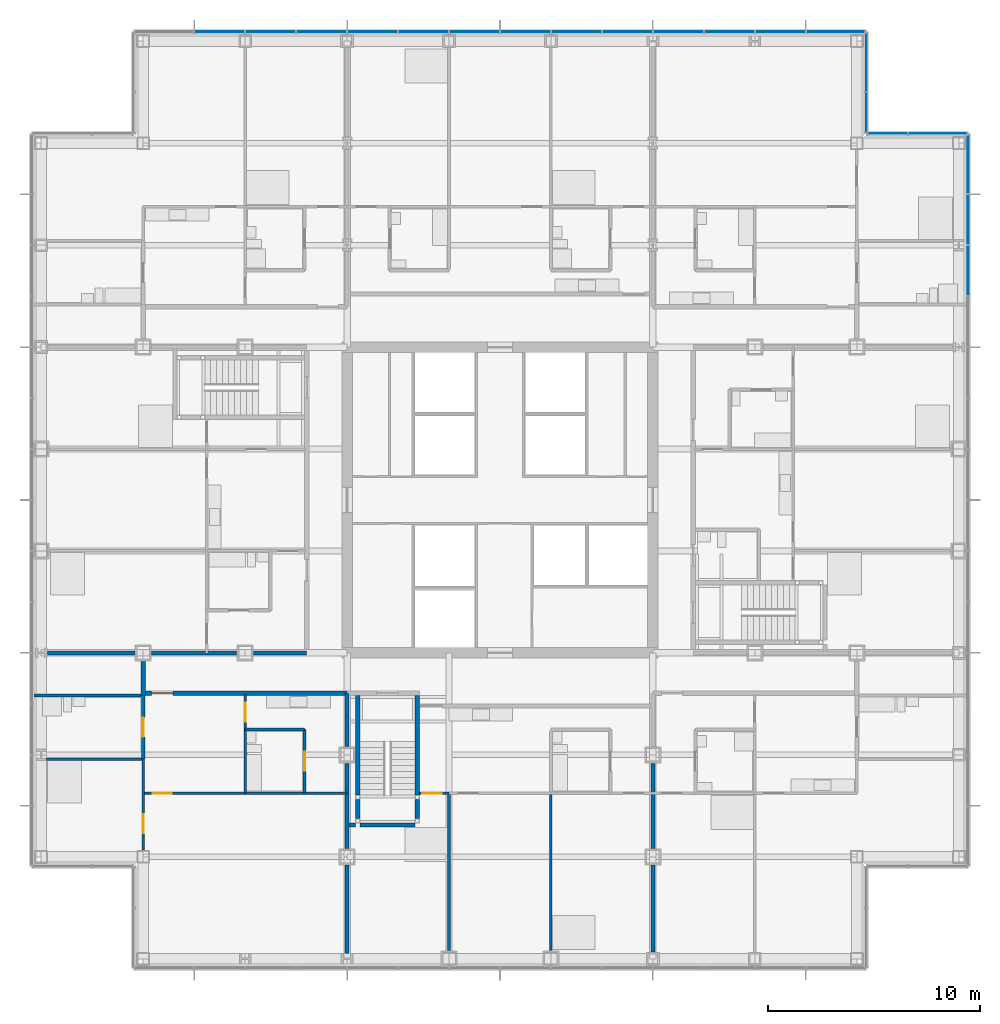
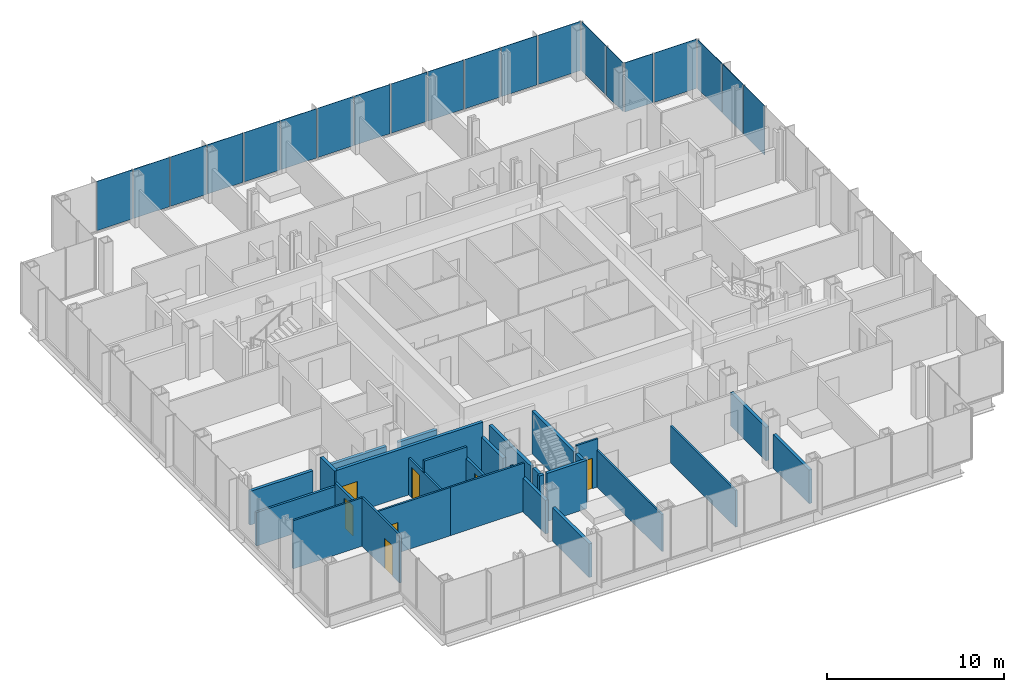
# One storey, part 13 of 21: 28 walls, 20 plates, 7 doors, 7 openings, 4 elements without a shape of their own.
"""IFC4 building model written with IfcOpenShell, lengths in metres."""

from ifc_helpers import new_model, si_unit, direction, frame, frame_2d, origin, origin_2d, place, context, subcontext, project, spatial, rectangle, extrude, material, layer, layer_set, type_object, element, fill, aggregate, save


model = new_model("IFC4")

# Units and contexts
model_context = context("Model", 3, precision=1e-05, world=origin(), true_north=direction((0.0, 1.0)))
body_context = subcontext(model_context, "Body", "Model", "MODEL_VIEW")
ifc_project = project(units=[si_unit("LENGTHUNIT", "METRE"), si_unit("AREAUNIT", "SQUARE_METRE"), si_unit("VOLUMEUNIT", "CUBIC_METRE"), si_unit("PLANEANGLEUNIT", "RADIAN"), si_unit("MASSUNIT", "GRAM", prefix="KILO")], contexts=[model_context])

# Site, building, storey
site_placement = place(None, origin())
site = spatial("IfcSite", under=ifc_project, at=site_placement, CompositionType="ELEMENT")
building_placement = place(site_placement, origin())
building = spatial("IfcBuilding", under=site, at=building_placement, Name="Kvirike Care Tower", CompositionType="ELEMENT")
storey_placement = place(building_placement, frame((0.0, 0.0, 58.5)))
storey = spatial("IfcBuildingStorey", under=building, at=storey_placement, Name="L15", CompositionType="ELEMENT", Elevation=58.5)

# Curtain wall, plates
ifc_material_1 = material(Name="Anodised aluminium stick system", Category="aluminium")
curtain_wall_type = type_object("IfcCurtainWallType", Name="CW-A STICK CURTAIN WALL", PredefinedType="NOTDEFINED", material=ifc_material_1)
curtain_wall_1_placement = place(storey_placement, origin())
curtain_wall_1 = element("IfcCurtainWall", 1, at=curtain_wall_1_placement, inside=storey, type_object=curtain_wall_type, Name="Curtain wall L15 face 7", PredefinedType="NOTDEFINED")
ifc_material_2 = material(Name="Tinted double glazed unit", Category="glass")
ifc_layer_1 = layer(ifc_material_2, 0.031982421875)
ifc_layer_set_1 = layer_set([ifc_layer_1], Name="TINTED VISION PANEL 32")
plate_type = type_object("IfcPlateType", Name="TINTED VISION PANEL 32", PredefinedType="CURTAIN_PANEL", material=ifc_layer_set_1)
plate_1_placement = place(storey_placement, frame((43.64990234375, 46.800048828125, 0.10009765625), z_axis=(0.0, 0.0, 1.0), x_axis=(0.0, 1.0, 0.0)))
plate_1 = element("IfcPlate", 2, at=plate_1_placement, type_object=plate_type, Name="CW-A panel L15 face 7.12", PredefinedType="CURTAIN_PANEL", context=body_context, shape_type="SweptSolid", body=[
    extrude(rectangle(XDim=2.3349609375, YDim=0.031982421875, at=origin_2d()), origin(), (0.0, 0.0, 1.0), 3.39990234375),
])
plate_2_placement = place(storey_placement, frame((43.64990234375, 49.199951171875, 0.10009765625), z_axis=(0.0, 0.0, 1.0), x_axis=(0.0, 1.0, 0.0)))
plate_2 = element("IfcPlate", 3, at=plate_2_placement, type_object=plate_type, Name="CW-A panel L15 face 7.13", PredefinedType="CURTAIN_PANEL", context=body_context, shape_type="SweptSolid", body=[
    extrude(rectangle(XDim=2.3349609375, YDim=0.031982421875, at=origin_2d()), origin(), (0.0, 0.0, 1.0), 3.39990234375),
])
plate_3_placement = place(storey_placement, frame((43.64990234375, 51.808837890625, 0.10009765625), z_axis=(0.0, 0.0, 1.0), x_axis=(0.0, 1.0, 0.0)))
plate_3 = element("IfcPlate", 4, at=plate_3_placement, type_object=plate_type, Name="CW-A panel L15 face 7.14", PredefinedType="CURTAIN_PANEL", context=body_context, shape_type="SweptSolid", body=[
    extrude(rectangle(XDim=2.75244140625, YDim=0.031982421875, at=origin_2d()), origin(), (0.0, 0.0, 1.0), 3.39990234375),
])
aggregate(curtain_wall_1, [plate_1, plate_2, plate_3])

curtain_wall_2_placement = place(storey_placement, origin())
curtain_wall_2 = element("IfcCurtainWall", 5, at=curtain_wall_2_placement, inside=storey, type_object=curtain_wall_type, Name="Curtain wall L15 face 8", PredefinedType="NOTDEFINED")
plate_4_placement = place(storey_placement, frame((42.208740234375, 53.25, 0.10009765625), z_axis=(0.0, 0.0, 1.0), x_axis=(-1.0, 0.0, 0.0)))
plate_4 = element("IfcPlate", 6, at=plate_4_placement, type_object=plate_type, Name="CW-A panel L15 face 8.1", PredefinedType="CURTAIN_PANEL", context=body_context, shape_type="SweptSolid", body=[
    extrude(rectangle(XDim=2.75244140625, YDim=0.031982421875, at=origin_2d()), origin(), (0.0, 0.0, 1.0), 3.39990234375),
])
plate_5_placement = place(storey_placement, frame((39.84130859375, 53.25, 0.10009765625), z_axis=(0.0, 0.0, 1.0), x_axis=(-1.0, 0.0, 0.0)))
plate_5 = element("IfcPlate", 7, at=plate_5_placement, type_object=plate_type, Name="CW-A panel L15 face 8.2", PredefinedType="CURTAIN_PANEL", context=body_context, shape_type="SweptSolid", body=[
    extrude(rectangle(XDim=1.8525390625, YDim=0.031982421875, at=origin_2d()), origin(), (0.0, 0.0, 1.0), 3.39990234375),
])
aggregate(curtain_wall_2, [plate_4, plate_5])

curtain_wall_3_placement = place(storey_placement, origin())
curtain_wall_3 = element("IfcCurtainWall", 8, at=curtain_wall_3_placement, inside=storey, type_object=curtain_wall_type, Name="Curtain wall L15 face 9", PredefinedType="NOTDEFINED")
plate_6_placement = place(storey_placement, frame((38.85009765625, 54.2412109375, 0.10009765625), z_axis=(0.0, 0.0, 1.0), x_axis=(0.0, 1.0, 0.0)))
plate_6 = element("IfcPlate", 9, at=plate_6_placement, type_object=plate_type, Name="CW-A panel L15 face 9.1", PredefinedType="CURTAIN_PANEL", context=body_context, shape_type="SweptSolid", body=[
    extrude(rectangle(XDim=1.8525390625, YDim=0.031982421875, at=origin_2d()), origin(), (0.0, 0.0, 1.0), 3.39990234375),
])
plate_7_placement = place(storey_placement, frame((38.85009765625, 56.608642578125, 0.10009765625), z_axis=(0.0, 0.0, 1.0), x_axis=(0.0, 1.0, 0.0)))
plate_7 = element("IfcPlate", 10, at=plate_7_placement, type_object=plate_type, Name="CW-A panel L15 face 9.2", PredefinedType="CURTAIN_PANEL", context=body_context, shape_type="SweptSolid", body=[
    extrude(rectangle(XDim=2.75244140625, YDim=0.031982421875, at=origin_2d()), origin(), (0.0, 0.0, 1.0), 3.39990234375),
])
aggregate(curtain_wall_3, [plate_6, plate_7])

curtain_wall_4_placement = place(storey_placement, origin())
curtain_wall_4 = element("IfcCurtainWall", 11, at=curtain_wall_4_placement, inside=storey, type_object=curtain_wall_type, Name="Curtain wall L15 face 10", PredefinedType="NOTDEFINED")
plate_8_placement = place(storey_placement, frame((37.40869140625, 58.050048828125, 0.10009765625), z_axis=(0.0, 0.0, 1.0), x_axis=(-1.0, 0.0, 0.0)))
plate_8 = element("IfcPlate", 12, at=plate_8_placement, type_object=plate_type, Name="CW-A panel L15 face 10.1", PredefinedType="CURTAIN_PANEL", context=body_context, shape_type="SweptSolid", body=[
    extrude(rectangle(XDim=2.75244140625, YDim=0.031982421875, at=origin_2d()), origin(), (0.0, 0.0, 1.0), 3.39990234375),
])
plate_9_placement = place(storey_placement, frame((34.800048828125, 58.050048828125, 0.10009765625), z_axis=(0.0, 0.0, 1.0), x_axis=(-1.0, 0.0, 0.0)))
plate_9 = element("IfcPlate", 13, at=plate_9_placement, type_object=plate_type, Name="CW-A panel L15 face 10.2", PredefinedType="CURTAIN_PANEL", context=body_context, shape_type="SweptSolid", body=[
    extrude(rectangle(XDim=2.3349609375, YDim=0.031982421875, at=origin_2d()), origin(), (0.0, 0.0, 1.0), 3.39990234375),
])
plate_10_placement = place(storey_placement, frame((32.39990234375, 58.050048828125, 0.10009765625), z_axis=(0.0, 0.0, 1.0), x_axis=(-1.0, 0.0, 0.0)))
plate_10 = element("IfcPlate", 14, at=plate_10_placement, type_object=plate_type, Name="CW-A panel L15 face 10.3", PredefinedType="CURTAIN_PANEL", context=body_context, shape_type="SweptSolid", body=[
    extrude(rectangle(XDim=2.3349609375, YDim=0.031982421875, at=origin_2d()), origin(), (0.0, 0.0, 1.0), 3.39990234375),
])
plate_11_placement = place(storey_placement, frame((30.0, 58.050048828125, 0.10009765625), z_axis=(0.0, 0.0, 1.0), x_axis=(-1.0, 0.0, 0.0)))
plate_11 = element("IfcPlate", 15, at=plate_11_placement, type_object=plate_type, Name="CW-A panel L15 face 10.4", PredefinedType="CURTAIN_PANEL", context=body_context, shape_type="SweptSolid", body=[
    extrude(rectangle(XDim=2.3349609375, YDim=0.031982421875, at=origin_2d()), origin(), (0.0, 0.0, 1.0), 3.39990234375),
])
plate_12_placement = place(storey_placement, frame((27.60009765625, 58.050048828125, 0.10009765625), z_axis=(0.0, 0.0, 1.0), x_axis=(-1.0, 0.0, 0.0)))
plate_12 = element("IfcPlate", 16, at=plate_12_placement, type_object=plate_type, Name="CW-A panel L15 face 10.5", PredefinedType="CURTAIN_PANEL", context=body_context, shape_type="SweptSolid", body=[
    extrude(rectangle(XDim=2.3349609375, YDim=0.031982421875, at=origin_2d()), origin(), (0.0, 0.0, 1.0), 3.39990234375),
])
plate_13_placement = place(storey_placement, frame((25.199951171875, 58.050048828125, 0.10009765625), z_axis=(0.0, 0.0, 1.0), x_axis=(-1.0, 0.0, 0.0)))
plate_13 = element("IfcPlate", 17, at=plate_13_placement, type_object=plate_type, Name="CW-A panel L15 face 10.6", PredefinedType="CURTAIN_PANEL", context=body_context, shape_type="SweptSolid", body=[
    extrude(rectangle(XDim=2.3349609375, YDim=0.031982421875, at=origin_2d()), origin(), (0.0, 0.0, 1.0), 3.39990234375),
])
plate_14_placement = place(storey_placement, frame((22.800048828125, 58.050048828125, 0.10009765625), z_axis=(0.0, 0.0, 1.0), x_axis=(-1.0, 0.0, 0.0)))
plate_14 = element("IfcPlate", 18, at=plate_14_placement, type_object=plate_type, Name="CW-A panel L15 face 10.7", PredefinedType="CURTAIN_PANEL", context=body_context, shape_type="SweptSolid", body=[
    extrude(rectangle(XDim=2.3349609375, YDim=0.031982421875, at=origin_2d()), origin(), (0.0, 0.0, 1.0), 3.39990234375),
])
plate_15_placement = place(storey_placement, frame((20.39990234375, 58.050048828125, 0.10009765625), z_axis=(0.0, 0.0, 1.0), x_axis=(-1.0, 0.0, 0.0)))
plate_15 = element("IfcPlate", 19, at=plate_15_placement, type_object=plate_type, Name="CW-A panel L15 face 10.8", PredefinedType="CURTAIN_PANEL", context=body_context, shape_type="SweptSolid", body=[
    extrude(rectangle(XDim=2.3349609375, YDim=0.031982421875, at=origin_2d()), origin(), (0.0, 0.0, 1.0), 3.39990234375),
])
plate_16_placement = place(storey_placement, frame((18.0, 58.050048828125, 0.10009765625), z_axis=(0.0, 0.0, 1.0), x_axis=(-1.0, 0.0, 0.0)))
plate_16 = element("IfcPlate", 20, at=plate_16_placement, type_object=plate_type, Name="CW-A panel L15 face 10.9", PredefinedType="CURTAIN_PANEL", context=body_context, shape_type="SweptSolid", body=[
    extrude(rectangle(XDim=2.3349609375, YDim=0.031982421875, at=origin_2d()), origin(), (0.0, 0.0, 1.0), 3.39990234375),
])
plate_17_placement = place(storey_placement, frame((15.60009765625, 58.050048828125, 0.10009765625), z_axis=(0.0, 0.0, 1.0), x_axis=(-1.0, 0.0, 0.0)))
plate_17 = element("IfcPlate", 21, at=plate_17_placement, type_object=plate_type, Name="CW-A panel L15 face 10.10", PredefinedType="CURTAIN_PANEL", context=body_context, shape_type="SweptSolid", body=[
    extrude(rectangle(XDim=2.3349609375, YDim=0.031982421875, at=origin_2d()), origin(), (0.0, 0.0, 1.0), 3.39990234375),
])
plate_18_placement = place(storey_placement, frame((13.199951171875, 58.050048828125, 0.10009765625), z_axis=(0.0, 0.0, 1.0), x_axis=(-1.0, 0.0, 0.0)))
plate_18 = element("IfcPlate", 22, at=plate_18_placement, type_object=plate_type, Name="CW-A panel L15 face 10.11", PredefinedType="CURTAIN_PANEL", context=body_context, shape_type="SweptSolid", body=[
    extrude(rectangle(XDim=2.3349609375, YDim=0.031982421875, at=origin_2d()), origin(), (0.0, 0.0, 1.0), 3.39990234375),
])
plate_19_placement = place(storey_placement, frame((10.800048828125, 58.050048828125, 0.10009765625), z_axis=(0.0, 0.0, 1.0), x_axis=(-1.0, 0.0, 0.0)))
plate_19 = element("IfcPlate", 23, at=plate_19_placement, type_object=plate_type, Name="CW-A panel L15 face 10.12", PredefinedType="CURTAIN_PANEL", context=body_context, shape_type="SweptSolid", body=[
    extrude(rectangle(XDim=2.3349609375, YDim=0.031982421875, at=origin_2d()), origin(), (0.0, 0.0, 1.0), 3.39990234375),
])
plate_20_placement = place(storey_placement, frame((8.39990234375, 58.050048828125, 0.10009765625), z_axis=(0.0, 0.0, 1.0), x_axis=(-1.0, 0.0, 0.0)))
plate_20 = element("IfcPlate", 24, at=plate_20_placement, type_object=plate_type, Name="CW-A panel L15 face 10.13", PredefinedType="CURTAIN_PANEL", context=body_context, shape_type="SweptSolid", body=[
    extrude(rectangle(XDim=2.3349609375, YDim=0.031982421875, at=origin_2d()), origin(), (0.0, 0.0, 1.0), 3.39990234375),
])
aggregate(curtain_wall_4, [plate_8, plate_9, plate_10, plate_11, plate_12, plate_13, plate_14, plate_15, plate_16, plate_17, plate_18, plate_19, plate_20])

# Wall, opening, door
ifc_material_3 = material(Name="Moisture-resistant board partition", Category="gypsum")
ifc_layer_2 = layer(ifc_material_3, 0.14990234375)
ifc_layer_set_2 = layer_set([ifc_layer_2], Name="BATHROOM WALL 150")
wall_type_1 = type_object("IfcWallType", Name="BATHROOM WALL 150", PredefinedType="PARTITIONING", material=ifc_layer_set_2)
wall_1_placement = place(storey_placement, frame((4.800048828125, 23.800048828125, 0.0), z_axis=(0.0, 0.0, 1.0), x_axis=(0.0, 1.0, 0.0)))
wall_1 = element("IfcWall", 25, at=wall_1_placement, inside=storey, type_object=wall_type_1, Name="Bathroom Wall 150 L15", PredefinedType="PARTITIONING", context=body_context, shape_type="SweptSolid", body=[
    extrude(rectangle(XDim=3.0, YDim=0.14990234375, at=frame_2d((1.5, 0.0))), origin(), (0.0, 0.0, 1.0), 2.550048828125),
])
opening_1_placement = place(wall_1_placement, frame((1.050048828125, 0.0, 0.0)))
opening_1 = element("IfcOpeningElement", 26, at=opening_1_placement, cuts=wall_1, Name="Opening 15-001", PredefinedType="OPENING", context=body_context, shape_type="SweptSolid", body=[
    extrude(rectangle(XDim=0.89990234375, YDim=2.10009765625, at=frame_2d((0.449951171875, 1.050048828125))), frame((0.0, 0.08544921875, 0.0), z_axis=(0.0, -1.0, 0.0), x_axis=(1.0, 0.0, 0.0)), (0.0, 0.0, 1.0), 0.1708984375),
])
ifc_material_4 = material(Name="Timber door set", Category="wood")
door_type_1 = type_object("IfcDoorType", Name="BATHROOM DOOR 900", OperationType="SINGLE_SWING_RIGHT", PredefinedType="DOOR", material=ifc_material_4)
door_1_placement = place(opening_1_placement, origin())
door_1 = element("IfcDoor", 27, at=door_1_placement, inside=storey, type_object=door_type_1, Name="Shower room door", OperationType="SINGLE_SWING_LEFT", OverallHeight=2.10009765625, OverallWidth=0.89990234375, PredefinedType="DOOR", context=body_context, shape_type="SweptSolid", body=[
    extrude(rectangle(XDim=0.89990234375, YDim=2.10009765625, at=frame_2d((0.449951171875, 1.050048828125))), frame((0.0, 0.02197265625, 0.0), z_axis=(0.0, -1.0, 0.0), x_axis=(1.0, 0.0, 0.0)), (0.0, 0.0, 1.0), 0.0439453125),
])
fill(opening_1, door_1)

wall_2_placement = place(storey_placement, frame((12.39990234375, 22.199951171875, 0.0), z_axis=(0.0, 0.0, 1.0), x_axis=(0.0, 1.0, 0.0)))
wall_2 = element("IfcWall", 28, at=wall_2_placement, inside=storey, type_object=wall_type_1, Name="Bathroom Wall 150 L15", PredefinedType="PARTITIONING", context=body_context, shape_type="SweptSolid", body=[
    extrude(rectangle(XDim=3.0, YDim=0.14990234375, at=frame_2d((1.5, 0.0))), origin(), (0.0, 0.0, 1.0), 2.550048828125),
])
opening_2_placement = place(wall_2_placement, frame((1.050048828125, 0.0, 0.0)))
opening_2 = element("IfcOpeningElement", 29, at=opening_2_placement, cuts=wall_2, Name="Opening 15-002", PredefinedType="OPENING", context=body_context, shape_type="SweptSolid", body=[
    extrude(rectangle(XDim=0.89990234375, YDim=2.10009765625, at=frame_2d((0.449951171875, 1.050048828125))), frame((0.0, 0.08544921875, 0.0), z_axis=(0.0, -1.0, 0.0), x_axis=(1.0, 0.0, 0.0)), (0.0, 0.0, 1.0), 0.1708984375),
])
door_2_placement = place(opening_2_placement, origin())
door_2 = element("IfcDoor", 30, at=door_2_placement, inside=storey, type_object=door_type_1, Name="Bathroom door", OperationType="SINGLE_SWING_RIGHT", OverallHeight=2.10009765625, OverallWidth=0.89990234375, PredefinedType="DOOR", context=body_context, shape_type="SweptSolid", body=[
    extrude(rectangle(XDim=0.89990234375, YDim=2.10009765625, at=frame_2d((0.449951171875, 1.050048828125))), frame((0.0, 0.02197265625, 0.0), z_axis=(0.0, -1.0, 0.0), x_axis=(1.0, 0.0, 0.0)), (0.0, 0.0, 1.0), 0.0439453125),
])
fill(opening_2, door_2)

# Walls
wall_3_placement = place(storey_placement, frame((9.60009765625, 25.199951171875, 0.0), z_axis=(0.0, 0.0, 1.0), x_axis=(1.0, 0.0, 0.0)))
element("IfcWall", 31, at=wall_3_placement, inside=storey, type_object=wall_type_1, Name="Bathroom Wall 150 L15", PredefinedType="PARTITIONING", context=body_context, shape_type="SweptSolid", body=[
    extrude(rectangle(XDim=2.7998046875, YDim=0.14990234375, at=frame_2d((1.39990234375, 0.0))), origin(), (0.0, 0.0, 1.0), 3.330078125),
])
wall_4_placement = place(storey_placement, frame((-0.429931640625, 26.800048828125, 0.0), z_axis=(0.0, 0.0, 1.0), x_axis=(1.0, 0.0, 0.0)))
element("IfcWall", 32, at=wall_4_placement, inside=storey, type_object=wall_type_1, Name="Bathroom Wall 150 L15", PredefinedType="PARTITIONING", context=body_context, shape_type="SweptSolid", body=[
    extrude(rectangle(XDim=5.1298828125, YDim=0.14990234375, at=frame_2d((2.56494140625, 0.0))), origin(), (0.0, 0.0, 1.0), 2.320068359375),
])

# Wall, opening, door
ifc_material_5 = material(Name="Plasterboard corridor wall", Category="gypsum")
ifc_layer_3 = layer(ifc_material_5, 0.199951171875)
ifc_layer_set_3 = layer_set([ifc_layer_3], Name="CORRIDOR WALL 200")
wall_type_2 = type_object("IfcWallType", Name="CORRIDOR WALL 200", PredefinedType="PARTITIONING", material=ifc_layer_set_3)
wall_5_placement = place(storey_placement, frame((4.800048828125, 26.89990234375, 0.0), z_axis=(0.0, 0.0, 1.0), x_axis=(1.0, 0.0, 0.0)))
wall_5 = element("IfcWall", 33, at=wall_5_placement, inside=storey, type_object=wall_type_2, Name="Corridor Wall 200 L15", PredefinedType="PARTITIONING", context=body_context, shape_type="SweptSolid", body=[
    extrude(rectangle(XDim=9.599853515625, YDim=0.199951171875, at=frame_2d((4.7998046875, 0.0))), origin(), (0.0, 0.0, 1.0), 3.330078125),
])
opening_3_placement = place(wall_5_placement, frame((0.39990234375, 0.0, 0.0)))
opening_3 = element("IfcOpeningElement", 34, at=opening_3_placement, cuts=wall_5, Name="Opening 15-006", PredefinedType="OPENING", context=body_context, shape_type="SweptSolid", body=[
    extrude(rectangle(XDim=1.0, YDim=2.10009765625, at=frame_2d((0.5, 1.050048828125))), frame((0.0, 0.110595703125, 0.0), z_axis=(0.0, -1.0, 0.0), x_axis=(1.0, 0.0, 0.0)), (0.0, 0.0, 1.0), 0.220947265625),
])
ifc_material_6 = material(Name="Timber door set", Category="wood")
door_type_2 = type_object("IfcDoorType", Name="FLAT ENTRANCE DOOR 1000", OperationType="SINGLE_SWING_LEFT", PredefinedType="DOOR", material=ifc_material_6)
door_3_placement = place(opening_3_placement, frame((1.0, 0.0, 0.0), z_axis=(0.0, 0.0, 1.0), x_axis=(-1.0, 0.0, 0.0)))
door_3 = element("IfcDoor", 35, at=door_3_placement, inside=storey, type_object=door_type_2, Name="One-bedroom apartment entrance", OperationType="SINGLE_SWING_LEFT", OverallHeight=2.10009765625, OverallWidth=1.0, PredefinedType="DOOR", context=body_context, shape_type="SweptSolid", body=[
    extrude(rectangle(XDim=1.0, YDim=2.10009765625, at=frame_2d((0.5, 1.050048828125))), frame((0.0, 0.02685546875, 0.0), z_axis=(0.0, -1.0, 0.0), x_axis=(1.0, 0.0, 0.0)), (0.0, 0.0, 1.0), 0.053955078125),
])
fill(opening_3, door_3)

# Wall
wall_6_placement = place(storey_placement, frame((4.800048828125, 26.800048828125, 0.0), z_axis=(0.0, 0.0, 1.0), x_axis=(0.0, 1.0, 0.0)))
element("IfcWall", 36, at=wall_6_placement, inside=storey, type_object=wall_type_2, Name="Corridor Wall 200 L15", PredefinedType="PARTITIONING", context=body_context, shape_type="SweptSolid", body=[
    extrude(rectangle(XDim=1.60498046875, YDim=0.199951171875, at=frame_2d((0.802490234375, 0.0))), origin(), (0.0, 0.0, 1.0), 3.330078125),
])

# Wall, opening, door
ifc_material_7 = material(Name="Plasterboard partition", Category="gypsum")
ifc_layer_4 = layer(ifc_material_7, 0.1201171875)
ifc_layer_set_4 = layer_set([ifc_layer_4], Name="PARTITION 120")
wall_type_3 = type_object("IfcWallType", Name="PARTITION 120", PredefinedType="PARTITIONING", material=ifc_layer_set_4)
wall_7_placement = place(storey_placement, frame((9.60009765625, 22.199951171875, 0.0), z_axis=(0.0, 0.0, 1.0), x_axis=(0.0, 1.0, 0.0)))
wall_7 = element("IfcWall", 37, at=wall_7_placement, inside=storey, type_object=wall_type_3, Name="Partition 120 L15", PredefinedType="PARTITIONING", context=body_context, shape_type="SweptSolid", body=[
    extrude(rectangle(XDim=4.650146484375, YDim=0.1201171875, at=frame_2d((2.3251953125, 0.0))), origin(), (0.0, 0.0, 1.0), 2.550048828125),
])
opening_4_placement = place(wall_7_placement, frame((3.35009765625, 0.0, 0.0)))
opening_4 = element("IfcOpeningElement", 38, at=opening_4_placement, cuts=wall_7, Name="Opening 15-003", PredefinedType="OPENING", context=body_context, shape_type="SweptSolid", body=[
    extrude(rectangle(XDim=0.89990234375, YDim=2.10009765625, at=frame_2d((0.449951171875, 1.050048828125))), frame((0.0, 0.070556640625, 0.0), z_axis=(0.0, -1.0, 0.0), x_axis=(1.0, 0.0, 0.0)), (0.0, 0.0, 1.0), 0.14111328125),
])
ifc_material_8 = material(Name="Timber door set", Category="wood")
door_type_3 = type_object("IfcDoorType", Name="INTERNAL DOOR 900", OperationType="SINGLE_SWING_LEFT", PredefinedType="DOOR", material=ifc_material_8)
door_4_placement = place(opening_4_placement, frame((0.89990234375, 0.0, 0.0), z_axis=(0.0, 0.0, 1.0), x_axis=(-1.0, 0.0, 0.0)))
door_4 = element("IfcDoor", 39, at=door_4_placement, inside=storey, type_object=door_type_3, Name="Hall door", OperationType="SINGLE_SWING_RIGHT", OverallHeight=2.10009765625, OverallWidth=0.89990234375, PredefinedType="DOOR", context=body_context, shape_type="SweptSolid", body=[
    extrude(rectangle(XDim=0.89990234375, YDim=2.10009765625, at=frame_2d((0.449951171875, 1.050048828125))), frame((0.0, 0.02197265625, 0.0), z_axis=(0.0, -1.0, 0.0), x_axis=(1.0, 0.0, 0.0)), (0.0, 0.0, 1.0), 0.0439453125),
])
fill(opening_4, door_4)

# Wall
wall_8_placement = place(storey_placement, frame((0.243896484375, 23.800048828125, 0.0), z_axis=(0.0, 0.0, 1.0), x_axis=(1.0, 0.0, 0.0)))
element("IfcWall", 40, at=wall_8_placement, inside=storey, type_object=wall_type_3, Name="Partition 120 L15", PredefinedType="PARTITIONING", context=body_context, shape_type="SweptSolid", body=[
    extrude(rectangle(XDim=4.55615234375, YDim=0.1201171875, at=frame_2d((2.278076171875, 0.0))), origin(), (0.0, 0.0, 1.0), 3.330078125),
])

# Wall, opening, door
wall_9_placement = place(storey_placement, frame((4.800048828125, 22.199951171875, 0.0), z_axis=(0.0, 0.0, 1.0), x_axis=(1.0, 0.0, 0.0)))
wall_9 = element("IfcWall", 41, at=wall_9_placement, inside=storey, type_object=wall_type_3, Name="Partition 120 L15", PredefinedType="PARTITIONING", context=body_context, shape_type="SweptSolid", body=[
    extrude(rectangle(XDim=4.800048828125, YDim=0.1201171875, at=frame_2d((2.39990234375, 0.0))), origin(), (0.0, 0.0, 1.0), 3.330078125),
])
opening_5_placement = place(wall_9_placement, frame((0.449951171875, 0.0, 0.0)))
opening_5 = element("IfcOpeningElement", 42, at=opening_5_placement, cuts=wall_9, Name="Opening 15-004", PredefinedType="OPENING", context=body_context, shape_type="SweptSolid", body=[
    extrude(rectangle(XDim=0.89990234375, YDim=2.10009765625, at=frame_2d((0.449951171875, 1.050048828125))), frame((0.0, 0.070556640625, 0.0), z_axis=(0.0, -1.0, 0.0), x_axis=(1.0, 0.0, 0.0)), (0.0, 0.0, 1.0), 0.14111328125),
])
door_5_placement = place(opening_5_placement, origin())
door_5 = element("IfcDoor", 43, at=door_5_placement, inside=storey, type_object=door_type_3, Name="Apartment living and dining room door", OperationType="SINGLE_SWING_LEFT", OverallHeight=2.10009765625, OverallWidth=0.89990234375, PredefinedType="DOOR", context=body_context, shape_type="SweptSolid", body=[
    extrude(rectangle(XDim=0.89990234375, YDim=2.10009765625, at=frame_2d((0.449951171875, 1.050048828125))), frame((0.0, 0.02197265625, 0.0), z_axis=(0.0, -1.0, 0.0), x_axis=(1.0, 0.0, 0.0)), (0.0, 0.0, 1.0), 0.0439453125),
])
fill(opening_5, door_5)

# Wall
wall_10_placement = place(storey_placement, frame((9.60009765625, 22.199951171875, 0.0), z_axis=(0.0, 0.0, 1.0), x_axis=(1.0, 0.0, 0.0)))
element("IfcWall", 44, at=wall_10_placement, inside=storey, type_object=wall_type_3, Name="Partition 120 L15", PredefinedType="PARTITIONING", context=body_context, shape_type="SweptSolid", body=[
    extrude(rectangle(XDim=4.7998046875, YDim=0.1201171875, at=frame_2d((2.39990234375, 0.0))), origin(), (0.0, 0.0, 1.0), 3.330078125),
])

# Wall, opening, door
wall_11_placement = place(storey_placement, frame((4.800048828125, 19.52001953125, 0.0), z_axis=(0.0, 0.0, 1.0), x_axis=(0.0, 1.0, 0.0)))
wall_11 = element("IfcWall", 45, at=wall_11_placement, inside=storey, type_object=wall_type_3, Name="Partition 120 L15", PredefinedType="PARTITIONING", context=body_context, shape_type="SweptSolid", body=[
    extrude(rectangle(XDim=4.280029296875, YDim=0.1201171875, at=frame_2d((2.14013671875, 0.0))), origin(), (0.0, 0.0, 1.0), 3.330078125),
])
opening_6_placement = place(wall_11_placement, frame((0.780029296875, 0.0, 0.0)))
opening_6 = element("IfcOpeningElement", 46, at=opening_6_placement, cuts=wall_11, Name="Opening 15-005", PredefinedType="OPENING", context=body_context, shape_type="SweptSolid", body=[
    extrude(rectangle(XDim=0.89990234375, YDim=2.10009765625, at=frame_2d((0.449951171875, 1.050048828125))), frame((0.0, 0.070556640625, 0.0), z_axis=(0.0, -1.0, 0.0), x_axis=(1.0, 0.0, 0.0)), (0.0, 0.0, 1.0), 0.14111328125),
])
door_6_placement = place(opening_6_placement, origin())
door_6 = element("IfcDoor", 47, at=door_6_placement, inside=storey, type_object=door_type_3, Name="Connecting door", OperationType="SINGLE_SWING_RIGHT", OverallHeight=2.10009765625, OverallWidth=0.89990234375, PredefinedType="DOOR", context=body_context, shape_type="SweptSolid", body=[
    extrude(rectangle(XDim=0.89990234375, YDim=2.10009765625, at=frame_2d((0.449951171875, 1.050048828125))), frame((0.0, 0.02197265625, 0.0), z_axis=(0.0, -1.0, 0.0), x_axis=(1.0, 0.0, 0.0)), (0.0, 0.0, 1.0), 0.0439453125),
])
fill(opening_6, door_6)

wall_12_placement = place(storey_placement, frame((17.800048828125, 22.199951171875, 0.0), z_axis=(0.0, 0.0, 1.0), x_axis=(1.0, 0.0, 0.0)))
wall_12 = element("IfcWall", 48, at=wall_12_placement, inside=storey, type_object=wall_type_3, Name="Partition 120 L15", PredefinedType="PARTITIONING", context=body_context, shape_type="SweptSolid", body=[
    extrude(rectangle(XDim=1.39990234375, YDim=0.1201171875, at=frame_2d((0.699951171875, 0.0))), origin(), (0.0, 0.0, 1.0), 3.330078125),
])
opening_7_placement = place(wall_12_placement, frame((0.14990234375, 0.0, 0.0)))
opening_7 = element("IfcOpeningElement", 49, at=opening_7_placement, cuts=wall_12, Name="Opening 15-023", PredefinedType="OPENING", context=body_context, shape_type="SweptSolid", body=[
    extrude(rectangle(XDim=0.89990234375, YDim=2.10009765625, at=frame_2d((0.449951171875, 1.050048828125))), frame((0.0, 0.070556640625, 0.0), z_axis=(0.0, -1.0, 0.0), x_axis=(1.0, 0.0, 0.0)), (0.0, 0.0, 1.0), 0.14111328125),
])
door_7_placement = place(opening_7_placement, frame((0.89990234375, 0.0, 0.0), z_axis=(0.0, 0.0, 1.0), x_axis=(-1.0, 0.0, 0.0)))
door_7 = element("IfcDoor", 50, at=door_7_placement, inside=storey, type_object=door_type_3, Name="Apartment bedroom door", OperationType="SINGLE_SWING_LEFT", OverallHeight=2.10009765625, OverallWidth=0.89990234375, PredefinedType="DOOR", context=body_context, shape_type="SweptSolid", body=[
    extrude(rectangle(XDim=0.89990234375, YDim=2.10009765625, at=frame_2d((0.449951171875, 1.050048828125))), frame((0.0, 0.02197265625, 0.0), z_axis=(0.0, -1.0, 0.0), x_axis=(1.0, 0.0, 0.0)), (0.0, 0.0, 1.0), 0.0439453125),
])
fill(opening_7, door_7)

# Walls
for number, where, z_axis, x_axis, name in (
    (51, (19.199951171875, 14.794921875, 0.0), (0.0, 0.0, 1.0), (0.0, 1.0, 0.0), "Partition 120 L15"),
    (52, (24.0, 14.794921875, 0.0), (0.0, 0.0, 1.0), (0.0, 1.0, 0.0), "Partition 120 L15"),
):
    element("IfcWall", number, at=place(storey_placement, frame(where, z_axis=z_axis, x_axis=x_axis)), inside=storey, type_object=wall_type_3, Name=name, PredefinedType="PARTITIONING", context=body_context, shape_type="SweptSolid", body=[
        extrude(rectangle(XDim=7.405029296875, YDim=0.1201171875, at=frame_2d((3.70263671875, 0.0))), origin(), (0.0, 0.0, 1.0), 2.550048828125),
    ])
ifc_material_9 = material(Name="Plasterboard party wall", Category="gypsum")
ifc_layer_5 = layer(ifc_material_9, 0.199951171875)
ifc_layer_set_5 = layer_set([ifc_layer_5], Name="PARTY WALL 200")
wall_type_4 = type_object("IfcWallType", Name="PARTY WALL 200", PredefinedType="PARTITIONING", material=ifc_layer_set_5)
wall_13_placement = place(storey_placement, frame((12.5, 28.800048828125, 0.0), z_axis=(0.0, 0.0, 1.0), x_axis=(-1.0, 0.0, 0.0)))
element("IfcWall", 53, at=wall_13_placement, inside=storey, type_object=wall_type_4, Name="Party Wall 200 L15", PredefinedType="PARTITIONING", context=body_context, shape_type="SweptSolid", body=[
    extrude(rectangle(XDim=2.5048828125, YDim=0.199951171875, at=frame_2d((1.25244140625, 0.0))), origin(), (0.0, 0.0, 1.0), 2.320068359375),
])
wall_14_placement = place(storey_placement, frame((9.205078125, 28.800048828125, 0.0), z_axis=(0.0, 0.0, 1.0), x_axis=(-1.0, 0.0, 0.0)))
element("IfcWall", 54, at=wall_14_placement, inside=storey, type_object=wall_type_4, Name="Party Wall 200 L15", PredefinedType="PARTITIONING", context=body_context, shape_type="SweptSolid", body=[
    extrude(rectangle(XDim=4.010009765625, YDim=0.199951171875, at=frame_2d((2.0048828125, 0.0))), origin(), (0.0, 0.0, 1.0), 2.320068359375),
])
wall_15_placement = place(storey_placement, frame((4.405029296875, 28.800048828125, 0.0), z_axis=(0.0, 0.0, 1.0), x_axis=(-1.0, 0.0, 0.0)))
element("IfcWall", 55, at=wall_15_placement, inside=storey, type_object=wall_type_4, Name="Party Wall 200 L15", PredefinedType="PARTITIONING", context=body_context, shape_type="SweptSolid", body=[
    extrude(rectangle(XDim=4.110107421875, YDim=0.199951171875, at=frame_2d((2.05517578125, 0.0))), origin(), (0.0, 0.0, 1.0), 2.320068359375),
])
wall_16_placement = place(storey_placement, frame((14.39990234375, 14.64404296875, 0.0), z_axis=(0.0, 0.0, 1.0), x_axis=(0.0, 1.0, 0.0)))
element("IfcWall", 56, at=wall_16_placement, inside=storey, type_object=wall_type_4, Name="Party Wall 200 L15", PredefinedType="PARTITIONING", context=body_context, shape_type="SweptSolid", body=[
    extrude(rectangle(XDim=4.160888671875, YDim=0.199951171875, at=frame_2d((2.08056640625, 0.0))), origin(), (0.0, 0.0, 1.0), 2.320068359375),
])
wall_17_placement = place(storey_placement, frame((14.39990234375, 19.594970703125, 0.0), z_axis=(0.0, 0.0, 1.0), x_axis=(0.0, 1.0, 0.0)))
element("IfcWall", 57, at=wall_17_placement, inside=storey, type_object=wall_type_4, Name="Party Wall 200 L15", PredefinedType="PARTITIONING", context=body_context, shape_type="SweptSolid", body=[
    extrude(rectangle(XDim=4.010009765625, YDim=0.199951171875, at=frame_2d((2.0048828125, 0.0))), origin(), (0.0, 0.0, 1.0), 2.320068359375),
])
wall_18_placement = place(storey_placement, frame((14.39990234375, 24.39501953125, 0.0), z_axis=(0.0, 0.0, 1.0), x_axis=(0.0, 1.0, 0.0)))
element("IfcWall", 58, at=wall_18_placement, inside=storey, type_object=wall_type_4, Name="Party Wall 200 L15", PredefinedType="PARTITIONING", context=body_context, shape_type="SweptSolid", body=[
    extrude(rectangle(XDim=2.5048828125, YDim=0.199951171875, at=frame_2d((1.25244140625, 0.0))), origin(), (0.0, 0.0, 1.0), 2.320068359375),
])
wall_19_placement = place(storey_placement, frame((28.800048828125, 14.719970703125, 0.0), z_axis=(0.0, 0.0, 1.0), x_axis=(0.0, 1.0, 0.0)))
element("IfcWall", 59, at=wall_19_placement, inside=storey, type_object=wall_type_4, Name="Party Wall 200 L15", PredefinedType="PARTITIONING", context=body_context, shape_type="SweptSolid", body=[
    extrude(rectangle(XDim=4.0849609375, YDim=0.199951171875, at=frame_2d((2.04248046875, 0.0))), origin(), (0.0, 0.0, 1.0), 2.320068359375),
])
wall_20_placement = place(storey_placement, frame((28.800048828125, 19.594970703125, 0.0), z_axis=(0.0, 0.0, 1.0), x_axis=(0.0, 1.0, 0.0)))
element("IfcWall", 60, at=wall_20_placement, inside=storey, type_object=wall_type_4, Name="Party Wall 200 L15", PredefinedType="PARTITIONING", context=body_context, shape_type="SweptSolid", body=[
    extrude(rectangle(XDim=4.010009765625, YDim=0.199951171875, at=frame_2d((2.0048828125, 0.0))), origin(), (0.0, 0.0, 1.0), 2.320068359375),
])
ifc_material_10 = material(Name="Concrete C40/50", Category="concrete")
ifc_layer_6 = layer(ifc_material_10, 0.199951171875)
ifc_layer_set_6 = layer_set([ifc_layer_6], Name="STAIR WALL 200")
wall_type_5 = type_object("IfcWallType", Name="STAIR WALL 200", PredefinedType="SOLIDWALL", material=ifc_layer_set_6)
wall_21_placement = place(storey_placement, frame((14.89990234375, 21.0, 0.0), z_axis=(0.0, 0.0, 1.0), x_axis=(0.0, 1.0, 0.0)))
element("IfcWall", 61, at=wall_21_placement, inside=storey, type_object=wall_type_5, Name="Stair Wall 200 L15", PredefinedType="SOLIDWALL", context=body_context, shape_type="SweptSolid", body=[
    extrude(rectangle(XDim=0.89990234375, YDim=0.199951171875, at=frame_2d((0.449951171875, 0.0))), origin(), (0.0, 0.0, 1.0), 2.989990234375),
])
wall_22_placement = place(storey_placement, frame((14.89990234375, 22.10009765625, 0.0), z_axis=(0.0, 0.0, 1.0), x_axis=(0.0, 1.0, 0.0)))
element("IfcWall", 62, at=wall_22_placement, inside=storey, type_object=wall_type_5, Name="Stair Wall 200 L15", PredefinedType="SOLIDWALL", context=body_context, shape_type="SweptSolid", body=[
    extrude(rectangle(XDim=4.699951171875, YDim=0.199951171875, at=frame_2d((2.35009765625, 0.0))), origin(), (0.0, 0.0, 1.0), 2.989990234375),
])
wall_23_placement = place(storey_placement, frame((17.699951171875, 21.0, 0.0), z_axis=(0.0, 0.0, 1.0), x_axis=(0.0, 1.0, 0.0)))
element("IfcWall", 63, at=wall_23_placement, inside=storey, type_object=wall_type_5, Name="Stair Wall 200 L15", PredefinedType="SOLIDWALL", context=body_context, shape_type="SweptSolid", body=[
    extrude(rectangle(XDim=0.89990234375, YDim=0.199951171875, at=frame_2d((0.449951171875, 0.0))), origin(), (0.0, 0.0, 1.0), 2.989990234375),
])
wall_24_placement = place(storey_placement, frame((17.699951171875, 22.10009765625, 0.0), z_axis=(0.0, 0.0, 1.0), x_axis=(0.0, 1.0, 0.0)))
element("IfcWall", 64, at=wall_24_placement, inside=storey, type_object=wall_type_5, Name="Stair Wall 200 L15", PredefinedType="SOLIDWALL", context=body_context, shape_type="SweptSolid", body=[
    extrude(rectangle(XDim=4.699951171875, YDim=0.199951171875, at=frame_2d((2.35009765625, 0.0))), origin(), (0.0, 0.0, 1.0), 2.989990234375),
])
wall_25_placement = place(storey_placement, frame((14.5, 20.699951171875, 0.0), z_axis=(0.0, 0.0, 1.0), x_axis=(1.0, 0.0, 0.0)))
element("IfcWall", 65, at=wall_25_placement, inside=storey, type_object=wall_type_5, Name="Stair Wall 200 L15", PredefinedType="SOLIDWALL", context=body_context, shape_type="SweptSolid", body=[
    extrude(rectangle(XDim=0.300048828125, YDim=0.199951171875, at=frame_2d((0.14990234375, 0.0))), origin(), (0.0, 0.0, 1.0), 3.330078125),
])
wall_26_placement = place(storey_placement, frame((15.0, 20.699951171875, 0.0), z_axis=(0.0, 0.0, 1.0), x_axis=(1.0, 0.0, 0.0)))
element("IfcWall", 66, at=wall_26_placement, inside=storey, type_object=wall_type_5, Name="Stair Wall 200 L15", PredefinedType="SOLIDWALL", context=body_context, shape_type="SweptSolid", body=[
    extrude(rectangle(XDim=2.60009765625, YDim=0.199951171875, at=frame_2d((1.300048828125, 0.0))), origin(), (0.0, 0.0, 1.0), 3.330078125),
])

save(model, "model.ifc")
